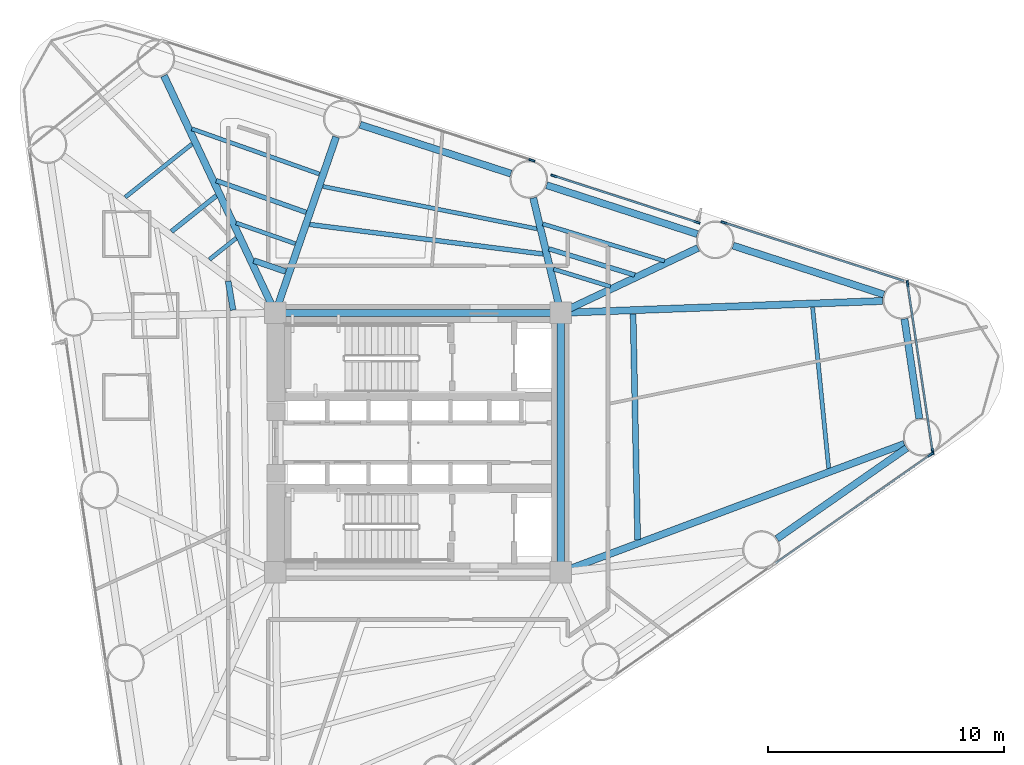
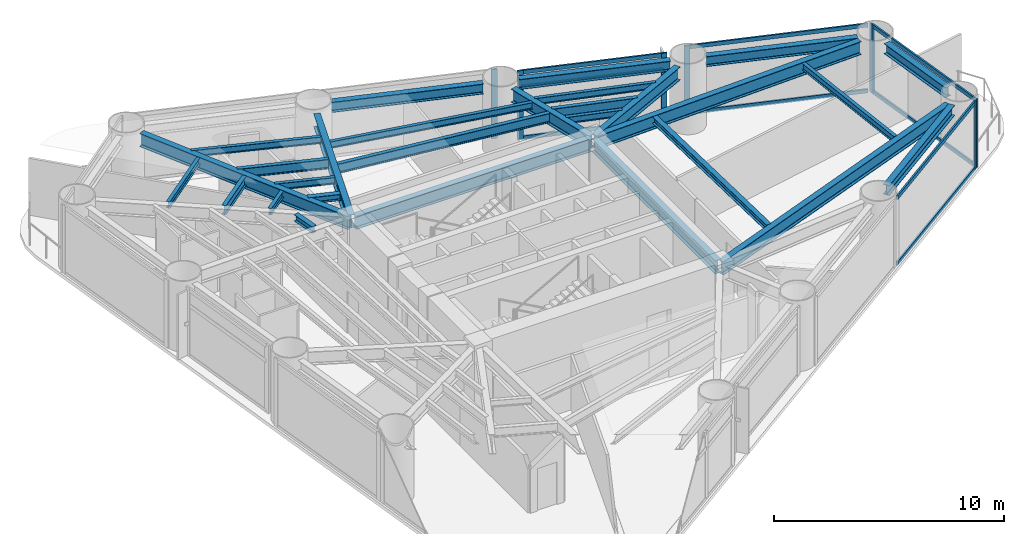
# One storey, part 3 of 11: 28 beams, 16 members, 5 elements without a shape of their own.
"""IFC4 building model written with IfcOpenShell, lengths in metres."""

from ifc_helpers import new_model, si_unit, direction, frame, origin, origin_2d, place, context, subcontext, project, spatial, rectangle, i_section, extrude, source, transform, mapped, material, layer, layer_set, material_profile, profile_set, type_object, element, aggregate, save


model = new_model("IFC4")

# Units and contexts
model_context = context("Model", 3, precision=1e-05, world=origin(), true_north=direction((0.0, 1.0)))
body_context = subcontext(model_context, "Body", "Model", "MODEL_VIEW")
ifc_project = project(units=[si_unit("LENGTHUNIT", "METRE"), si_unit("AREAUNIT", "SQUARE_METRE"), si_unit("VOLUMEUNIT", "CUBIC_METRE"), si_unit("PLANEANGLEUNIT", "RADIAN"), si_unit("MASSUNIT", "GRAM", prefix="KILO")], contexts=[model_context])

# Site, building, storey
site_placement = place(None, origin())
site = spatial("IfcSite", under=ifc_project, at=site_placement, CompositionType="ELEMENT")
building_placement = place(site_placement, origin())
building = spatial("IfcBuilding", under=site, at=building_placement, Name="Yunling Apex Tower", CompositionType="ELEMENT")
storey_placement = place(building_placement, frame((0.0, 0.0, 54.800048828125)))
storey = spatial("IfcBuildingStorey", under=building, at=storey_placement, Name="L14", CompositionType="ELEMENT", Elevation=54.800048828125)

# Beams
ifc_material_1 = material(Name="Steel Q355B", Category="steel")
ifc_material_profile_1 = material_profile(ifc_material_1, i_section(OverallWidth=0.300048828125, OverallDepth=0.699951171875, WebThickness=0.012939453125, FlangeThickness=0.02392578125, FilletRadius=0.02587890625, at=origin_2d()))
ifc_profile_set_1 = profile_set([ifc_material_profile_1], Name="Steel Q355B")
beam_type_1 = type_object("IfcBeamType", Name="BG-PRI-3", PredefinedType="USERDEFINED", material=ifc_profile_set_1)
shared_shape_1 = source(origin(), body_context, "Body", "SweptSolid", [
    extrude(i_section(OverallWidth=0.300048828125, OverallDepth=0.699951171875, WebThickness=0.012939453125, FlangeThickness=0.02392578125, FilletRadius=0.02587890625, at=origin_2d()), origin(), (0.0, 0.0, 1.0), 11.7998046875),
])
beam_1_placement = place(storey_placement, frame((5.89990234375, 5.5, 3.21484375), z_axis=(-1.0, 0.0, 0.0), x_axis=(0.0, -1.0, 0.0)))
element("IfcBeam", 1, at=beam_1_placement, inside=storey, type_object=beam_type_1, Name="L14 Core Ring Tie Beam 3", ObjectType="GIRDER", PredefinedType="USERDEFINED", context=body_context, shape_type="MappedRepresentation", body=[
    mapped(shared_shape_1, transform((0.0, 0.0, 0.0), scale=1.0)),
])
shared_shape_2 = source(origin(), body_context, "Body", "SweptSolid", [
    extrude(i_section(OverallWidth=0.300048828125, OverallDepth=0.699951171875, WebThickness=0.012939453125, FlangeThickness=0.02392578125, FilletRadius=0.02587890625, at=origin_2d()), origin(), (0.0, 0.0, 1.0), 10.7001953125),
])
beam_2_placement = place(storey_placement, frame((6.050048828125, -5.35009765625, 3.21484375), z_axis=(0.0, 1.0, 0.0), x_axis=(-1.0, 0.0, 0.0)))
element("IfcBeam", 2, at=beam_2_placement, inside=storey, type_object=beam_type_1, Name="L14 Core Ring Tie Beam 2", ObjectType="GIRDER", PredefinedType="USERDEFINED", context=body_context, shape_type="MappedRepresentation", body=[
    mapped(shared_shape_2, transform((0.0, 0.0, 0.0), scale=1.0)),
])
ifc_material_profile_2 = material_profile(ifc_material_1, i_section(OverallWidth=0.300048828125, OverallDepth=0.5400390625, WebThickness=0.011962890625, FlangeThickness=0.02001953125, FilletRadius=0.02392578125, at=origin_2d()))
ifc_profile_set_2 = profile_set([ifc_material_profile_2], Name="Steel Q355B")
beam_type_2 = type_object("IfcBeamType", Name="BP-SPN-1", PredefinedType="SPANDREL", material=ifc_profile_set_2)
shared_shape_3 = source(origin(), body_context, "Body", "SweptSolid", [
    extrude(i_section(OverallWidth=0.300048828125, OverallDepth=0.5400390625, WebThickness=0.011962890625, FlangeThickness=0.02001953125, FilletRadius=0.02392578125, at=origin_2d()), origin(), (0.0, 0.0, 1.0), 6.721435546875),
])
for number, where, z_axis, x_axis, name in (
    (3, (15.212158203125, -4.08056640625, 3.294921875), (0.81955772083, 0.572996633697, 0.0), (-0.572996633697, 0.81955772083, 0.0), "L14 Perimeter Spandrel Beam 4"),
    (4, (19.748291015625, 6.277099609375, 3.294921875), (-0.95126256707, 0.308382114415, 0.0), (-0.308382114415, -0.95126256707, 0.0), "L14 Perimeter Spandrel Beam 6"),
    (5, (3.939453125, 11.401611328125, 3.294921875), (-0.95126256707, 0.308382114415, 0.0), (-0.308382114415, -0.95126256707, 0.0), "L14 Perimeter Spandrel Beam 8"),
):
    element("IfcBeam", number, at=place(storey_placement, frame(where, z_axis=z_axis, x_axis=x_axis)), inside=storey, type_object=beam_type_2, Name=name, PredefinedType="SPANDREL", context=body_context, shape_type="MappedRepresentation", body=[
        mapped(shared_shape_3, transform((0.0, 0.0, 0.0), scale=1.0)),
    ])
shared_shape_4 = source(origin(), body_context, "Body", "SweptSolid", [
    extrude(i_section(OverallWidth=0.300048828125, OverallDepth=0.5400390625, WebThickness=0.011962890625, FlangeThickness=0.02001953125, FilletRadius=0.02392578125, at=origin_2d()), origin(), (0.0, 0.0, 1.0), 4.283203125),
])
beam_3_placement = place(storey_placement, frame((21.25390625, 1.010986328125, 3.294921875), z_axis=(-0.147802479388, 0.989016899293, 0.0), x_axis=(-0.989016899293, -0.147802479388, 0.0)))
element("IfcBeam", 6, at=beam_3_placement, inside=storey, type_object=beam_type_2, Name="L14 Perimeter Spandrel Beam 5", PredefinedType="SPANDREL", context=body_context, shape_type="MappedRepresentation", body=[
    mapped(shared_shape_4, transform((0.0, 0.0, 0.0), scale=1.0)),
])
shared_shape_5 = source(origin(), body_context, "Body", "SweptSolid", [
    extrude(i_section(OverallWidth=0.300048828125, OverallDepth=0.5400390625, WebThickness=0.011962890625, FlangeThickness=0.02001953125, FilletRadius=0.02392578125, at=origin_2d()), origin(), (0.0, 0.0, 1.0), 6.72119140625),
])
beam_4_placement = place(storey_placement, frame((11.84375, 8.83935546875, 3.294921875), z_axis=(-0.951259112593, 0.308392770197, 0.0), x_axis=(-0.308392770197, -0.951259112593, 0.0)))
element("IfcBeam", 7, at=beam_4_placement, inside=storey, type_object=beam_type_2, Name="L14 Perimeter Spandrel Beam 7", PredefinedType="SPANDREL", context=body_context, shape_type="MappedRepresentation", body=[
    mapped(shared_shape_5, transform((0.0, 0.0, 0.0), scale=1.0)),
])
shared_shape_6 = source(origin(), body_context, "Body", "SweptSolid", [
    extrude(i_section(OverallWidth=0.300048828125, OverallDepth=0.699951171875, WebThickness=0.012939453125, FlangeThickness=0.02392578125, FilletRadius=0.02587890625, at=origin_2d()), origin(), (0.0, 0.0, 1.0), 15.46826171875),
])
beam_5_placement = place(storey_placement, frame((20.614501953125, -0.05712890625, 3.21484375), z_axis=(-0.936727481876, -0.350059458804, 0.0), x_axis=(0.350059458804, -0.936727481876, 0.0)))
element("IfcBeam", 8, at=beam_5_placement, inside=storey, type_object=beam_type_1, Name="L14 Radial Primary Girder R05", ObjectType="GIRDER", PredefinedType="USERDEFINED", context=body_context, shape_type="MappedRepresentation", body=[
    mapped(shared_shape_6, transform((0.0, 0.0, 0.0), scale=1.0)),
])
shared_shape_7 = source(origin(), body_context, "Body", "SweptSolid", [
    extrude(i_section(OverallWidth=0.300048828125, OverallDepth=0.699951171875, WebThickness=0.012939453125, FlangeThickness=0.02392578125, FilletRadius=0.02587890625, at=origin_2d()), origin(), (0.0, 0.0, 1.0), 13.575439453125),
])
beam_6_placement = place(storey_placement, frame((19.696044921875, 6.002685546875, 3.21484375), z_axis=(-0.99932215556, -0.036813440575, 0.0), x_axis=(0.036813440575, -0.99932215556, 0.0)))
element("IfcBeam", 9, at=beam_6_placement, inside=storey, type_object=beam_type_1, Name="L14 Radial Primary Girder R06", ObjectType="GIRDER", PredefinedType="USERDEFINED", context=body_context, shape_type="MappedRepresentation", body=[
    mapped(shared_shape_7, transform((0.0, 0.0, 0.0), scale=1.0)),
])
shared_shape_8 = source(origin(), body_context, "Body", "SweptSolid", [
    extrude(i_section(OverallWidth=0.300048828125, OverallDepth=0.699951171875, WebThickness=0.012939453125, FlangeThickness=0.02392578125, FilletRadius=0.02587890625, at=origin_2d()), origin(), (0.0, 0.0, 1.0), 6.35546875),
])
beam_7_placement = place(storey_placement, frame((11.86865234375, 8.24951171875, 3.21484375), z_axis=(-0.90414025985, -0.427235755196, 0.0), x_axis=(0.427235755196, -0.90414025985, 0.0)))
element("IfcBeam", 10, at=beam_7_placement, inside=storey, type_object=beam_type_1, Name="L14 Radial Primary Girder R07", ObjectType="GIRDER", PredefinedType="USERDEFINED", context=body_context, shape_type="MappedRepresentation", body=[
    mapped(shared_shape_8, transform((0.0, 0.0, 0.0), scale=1.0)),
])
shared_shape_9 = source(origin(), body_context, "Body", "SweptSolid", [
    extrude(i_section(OverallWidth=0.300048828125, OverallDepth=0.699951171875, WebThickness=0.012939453125, FlangeThickness=0.02392578125, FilletRadius=0.02587890625, at=origin_2d()), origin(), (0.0, 0.0, 1.0), 4.928955078125),
])
beam_8_placement = place(storey_placement, frame((4.883056640625, 10.37109375, 3.21484375), z_axis=(0.233002001977, -0.972476255276, 0.0), x_axis=(0.972476255276, 0.233002001977, 0.0)))
element("IfcBeam", 11, at=beam_8_placement, inside=storey, type_object=beam_type_1, Name="L14 Radial Primary Girder R08", ObjectType="GIRDER", PredefinedType="USERDEFINED", context=body_context, shape_type="MappedRepresentation", body=[
    mapped(shared_shape_9, transform((0.0, 0.0, 0.0), scale=1.0)),
])
shared_shape_10 = source(origin(), body_context, "Body", "SweptSolid", [
    extrude(i_section(OverallWidth=0.300048828125, OverallDepth=0.699951171875, WebThickness=0.012939453125, FlangeThickness=0.02392578125, FilletRadius=0.02587890625, at=origin_2d()), origin(), (0.0, 0.0, 1.0), 7.807861328125),
])
beam_9_placement = place(storey_placement, frame((-3.473388671875, 12.955322265625, 3.21484375), z_axis=(-0.326658398033, -0.945142471268, 0.0), x_axis=(0.945142471268, -0.326658398033, 0.0)))
element("IfcBeam", 12, at=beam_9_placement, inside=storey, type_object=beam_type_1, Name="L14 Radial Primary Girder R09", ObjectType="GIRDER", PredefinedType="USERDEFINED", context=body_context, shape_type="MappedRepresentation", body=[
    mapped(shared_shape_10, transform((0.0, 0.0, 0.0), scale=1.0)),
])
shared_shape_11 = source(origin(), body_context, "Body", "SweptSolid", [
    extrude(i_section(OverallWidth=0.300048828125, OverallDepth=0.699951171875, WebThickness=0.012939453125, FlangeThickness=0.02392578125, FilletRadius=0.02587890625, at=origin_2d()), origin(), (0.0, 0.0, 1.0), 11.0234375),
])
beam_10_placement = place(storey_placement, frame((-10.7705078125, 15.550048828125, 3.21484375), z_axis=(0.425144169149, -0.905125646216, 0.0), x_axis=(0.905125646216, 0.425144169149, 0.0)))
element("IfcBeam", 13, at=beam_10_placement, inside=storey, type_object=beam_type_1, Name="L14 Radial Primary Girder R10", ObjectType="GIRDER", PredefinedType="USERDEFINED", context=body_context, shape_type="MappedRepresentation", body=[
    mapped(shared_shape_11, transform((0.0, 0.0, 0.0), scale=1.0)),
])
ifc_material_profile_3 = material_profile(ifc_material_1, i_section(OverallWidth=0.175048828125, OverallDepth=0.35009765625, WebThickness=0.007080078125, FlangeThickness=0.010986328125, FilletRadius=0.013916015625, at=origin_2d()))
ifc_profile_set_3 = profile_set([ifc_material_profile_3], Name="Steel Q355B")
beam_type_3 = type_object("IfcBeamType", Name="BJ-JST-1", PredefinedType="JOIST", material=ifc_profile_set_3)
shared_shape_12 = source(origin(), body_context, "Body", "SweptSolid", [
    extrude(i_section(OverallWidth=0.175048828125, OverallDepth=0.35009765625, WebThickness=0.007080078125, FlangeThickness=0.010986328125, FilletRadius=0.013916015625, at=origin_2d()), origin(), (0.0, 0.0, 1.0), 6.856689453125),
])
beam_11_placement = place(storey_placement, frame((17.410888671875, -1.089111328125, 3.389892578125), z_axis=(-0.099697612772, 0.995017781754, 0.0), x_axis=(-0.995017781754, -0.099697612772, 0.0)))
element("IfcBeam", 14, at=beam_11_placement, inside=storey, type_object=beam_type_3, Name="L14 Composite Floor Joist BJ1-5", PredefinedType="JOIST", context=body_context, shape_type="MappedRepresentation", body=[
    mapped(shared_shape_12, transform((0.0, 0.0, 0.0), scale=1.0)),
])
ifc_material_profile_4 = material_profile(ifc_material_1, i_section(OverallWidth=0.25, OverallDepth=0.340087890625, WebThickness=0.009033203125, FlangeThickness=0.013916015625, FilletRadius=0.01806640625, at=origin_2d()))
ifc_profile_set_4 = profile_set([ifc_material_profile_4], Name="Steel Q355B")
beam_type_4 = type_object("IfcBeamType", Name="BJ-JST-2", PredefinedType="JOIST", material=ifc_profile_set_4)
shared_shape_13 = source(origin(), body_context, "Body", "SweptSolid", [
    extrude(i_section(OverallWidth=0.25, OverallDepth=0.340087890625, WebThickness=0.009033203125, FlangeThickness=0.013916015625, FilletRadius=0.01806640625, at=origin_2d()), origin(), (0.0, 0.0, 1.0), 9.57568359375),
])
beam_12_placement = place(storey_placement, frame((9.309326171875, -4.120849609375, 3.39501953125), z_axis=(-0.020014350968, 0.999799692816, 0.0), x_axis=(-0.999799692816, -0.020014350968, 0.0)))
element("IfcBeam", 15, at=beam_12_placement, inside=storey, type_object=beam_type_4, Name="L14 Composite Floor Joist BJ2-5", PredefinedType="JOIST", context=body_context, shape_type="MappedRepresentation", body=[
    mapped(shared_shape_13, transform((0.0, 0.0, 0.0), scale=1.0)),
])
ifc_material_profile_5 = material_profile(ifc_material_1, i_section(OverallWidth=0.199951171875, OverallDepth=0.5, WebThickness=0.010009765625, FlangeThickness=0.01611328125, FilletRadius=0.02001953125, at=origin_2d()))
ifc_profile_set_5 = profile_set([ifc_material_profile_5], Name="Steel Q355B")
beam_type_5 = type_object("IfcBeamType", Name="BS-SEC-2", PredefinedType="BEAM", material=ifc_profile_set_5)
shared_shape_14 = source(origin(), body_context, "Body", "SweptSolid", [
    extrude(i_section(OverallWidth=0.199951171875, OverallDepth=0.5, WebThickness=0.010009765625, FlangeThickness=0.01611328125, FilletRadius=0.02001953125, at=origin_2d()), origin(), (0.0, 0.0, 1.0), 3.812255859375),
])
beam_13_placement = place(storey_placement, frame((9.187255859375, 7.1015625, 3.31494140625), z_axis=(-0.956390339833, 0.292091625819, 0.0), x_axis=(-0.292091625819, -0.956390339833, 0.0)))
element("IfcBeam", 16, at=beam_13_placement, inside=storey, type_object=beam_type_5, Name="L14 Composite Floor Beam BS-7", PredefinedType="BEAM", context=body_context, shape_type="MappedRepresentation", body=[
    mapped(shared_shape_14, transform((0.0, 0.0, 0.0), scale=1.0)),
])
shared_shape_15 = source(origin(), body_context, "Body", "SweptSolid", [
    extrude(i_section(OverallWidth=0.175048828125, OverallDepth=0.35009765625, WebThickness=0.007080078125, FlangeThickness=0.010986328125, FilletRadius=0.013916015625, at=origin_2d()), origin(), (0.0, 0.0, 1.0), 5.396484375),
])
beam_14_placement = place(storey_placement, frame((10.451416015625, 7.698486328125, 3.389892578125), z_axis=(-0.95665799, 0.291213822077, 0.0), x_axis=(-0.291213822077, -0.95665799, 0.0)))
element("IfcBeam", 17, at=beam_14_placement, inside=storey, type_object=beam_type_3, Name="L14 Composite Floor Joist BJ1-7", PredefinedType="JOIST", context=body_context, shape_type="MappedRepresentation", body=[
    mapped(shared_shape_15, transform((0.0, 0.0, 0.0), scale=1.0)),
])
shared_shape_16 = source(origin(), body_context, "Body", "SweptSolid", [
    extrude(i_section(OverallWidth=0.175048828125, OverallDepth=0.35009765625, WebThickness=0.007080078125, FlangeThickness=0.010986328125, FilletRadius=0.013916015625, at=origin_2d()), origin(), (0.0, 0.0, 1.0), 2.516357421875),
])
beam_15_placement = place(storey_placement, frame((8.153076171875, 6.613037109375, 3.389892578125), z_axis=(-0.955871264671, 0.293785849515, 0.0), x_axis=(-0.293785849515, -0.955871264671, 0.0)))
element("IfcBeam", 18, at=beam_15_placement, inside=storey, type_object=beam_type_3, Name="L14 Composite Floor Joist BJ3-7", PredefinedType="JOIST", context=body_context, shape_type="MappedRepresentation", body=[
    mapped(shared_shape_16, transform((0.0, 0.0, 0.0), scale=1.0)),
])
shared_shape_17 = source(origin(), body_context, "Body", "SweptSolid", [
    extrude(i_section(OverallWidth=0.199951171875, OverallDepth=0.5, WebThickness=0.010009765625, FlangeThickness=0.01611328125, FilletRadius=0.02001953125, at=origin_2d()), origin(), (0.0, 0.0, 1.0), 9.967529296875),
])
beam_16_placement = place(storey_placement, frame((5.298583984375, 7.994384765625, 3.31494140625), z_axis=(-0.992092895005, 0.125505727681, 0.0), x_axis=(-0.125505727681, -0.992092895005, 0.0)))
element("IfcBeam", 19, at=beam_16_placement, inside=storey, type_object=beam_type_5, Name="L14 Composite Floor Beam BS-8", PredefinedType="BEAM", context=body_context, shape_type="MappedRepresentation", body=[
    mapped(shared_shape_17, transform((0.0, 0.0, 0.0), scale=1.0)),
])
shared_shape_18 = source(origin(), body_context, "Body", "SweptSolid", [
    extrude(i_section(OverallWidth=0.175048828125, OverallDepth=0.35009765625, WebThickness=0.007080078125, FlangeThickness=0.010986328125, FilletRadius=0.013916015625, at=origin_2d()), origin(), (0.0, 0.0, 1.0), 9.254638671875),
])
beam_17_placement = place(storey_placement, frame((5.047607421875, 9.06005859375, 3.389892578125), z_axis=(-0.98094926536, 0.194264095472, 0.0), x_axis=(-0.194264095472, -0.98094926536, 0.0)))
element("IfcBeam", 20, at=beam_17_placement, inside=storey, type_object=beam_type_3, Name="L14 Composite Floor Joist BJ1-8", PredefinedType="JOIST", context=body_context, shape_type="MappedRepresentation", body=[
    mapped(shared_shape_18, transform((0.0, 0.0, 0.0), scale=1.0)),
])
shared_shape_19 = source(origin(), body_context, "Body", "SweptSolid", [
    extrude(i_section(OverallWidth=0.199951171875, OverallDepth=0.5, WebThickness=0.010009765625, FlangeThickness=0.01611328125, FilletRadius=0.02001953125, at=origin_2d()), origin(), (0.0, 0.0, 1.0), 4.04150390625),
])
beam_18_placement = place(storey_placement, frame((-4.74658203125, 9.761474609375, 3.31494140625), z_axis=(-0.942979180686, 0.332851715924, 0.0), x_axis=(-0.332851715924, -0.942979180686, 0.0)))
element("IfcBeam", 21, at=beam_18_placement, inside=storey, type_object=beam_type_5, Name="L14 Composite Floor Beam BS-9", PredefinedType="BEAM", context=body_context, shape_type="MappedRepresentation", body=[
    mapped(shared_shape_19, transform((0.0, 0.0, 0.0), scale=1.0)),
])
shared_shape_20 = source(origin(), body_context, "Body", "SweptSolid", [
    extrude(i_section(OverallWidth=0.175048828125, OverallDepth=0.35009765625, WebThickness=0.007080078125, FlangeThickness=0.010986328125, FilletRadius=0.013916015625, at=origin_2d()), origin(), (0.0, 0.0, 1.0), 5.733154296875),
])
beam_19_placement = place(storey_placement, frame((-4.185302734375, 11.38525390625, 3.389892578125), z_axis=(-0.942485311423, 0.334247569553, 0.0), x_axis=(-0.334247569553, -0.942485311423, 0.0)))
element("IfcBeam", 22, at=beam_19_placement, inside=storey, type_object=beam_type_3, Name="L14 Composite Floor Joist BJ1-9", PredefinedType="JOIST", context=body_context, shape_type="MappedRepresentation", body=[
    mapped(shared_shape_20, transform((0.0, 0.0, 0.0), scale=1.0)),
])
shared_shape_21 = source(origin(), body_context, "Body", "SweptSolid", [
    extrude(i_section(OverallWidth=0.175048828125, OverallDepth=0.35009765625, WebThickness=0.007080078125, FlangeThickness=0.010986328125, FilletRadius=0.013916015625, at=origin_2d()), origin(), (0.0, 0.0, 1.0), 2.657470703125),
])
beam_20_placement = place(storey_placement, frame((-5.205810546875, 8.432861328125, 3.389892578125), z_axis=(-0.943816811427, 0.330469100623, 0.0), x_axis=(-0.330469100623, -0.943816811427, 0.0)))
element("IfcBeam", 23, at=beam_20_placement, inside=storey, type_object=beam_type_3, Name="L14 Composite Floor Joist BJ3-9", PredefinedType="JOIST", context=body_context, shape_type="MappedRepresentation", body=[
    mapped(shared_shape_21, transform((0.0, 0.0, 0.0), scale=1.0)),
])
shared_shape_22 = source(origin(), body_context, "Body", "SweptSolid", [
    extrude(i_section(OverallWidth=0.25, OverallDepth=0.340087890625, WebThickness=0.009033203125, FlangeThickness=0.013916015625, FilletRadius=0.01806640625, at=origin_2d()), origin(), (0.0, 0.0, 1.0), 1.42724609375),
])
beam_21_placement = place(storey_placement, frame((-5.614013671875, 7.251220703125, 3.39501953125), z_axis=(-0.94564715029, 0.325194506639, 0.0), x_axis=(-0.325194506639, -0.94564715029, 0.0)))
element("IfcBeam", 24, at=beam_21_placement, inside=storey, type_object=beam_type_4, Name="L14 Composite Floor Joist BJ2-9", PredefinedType="JOIST", context=body_context, shape_type="MappedRepresentation", body=[
    mapped(shared_shape_22, transform((0.0, 0.0, 0.0), scale=1.0)),
])
shared_shape_23 = source(origin(), body_context, "Body", "SweptSolid", [
    extrude(i_section(OverallWidth=0.199951171875, OverallDepth=0.5, WebThickness=0.010009765625, FlangeThickness=0.01611328125, FilletRadius=0.02001953125, at=origin_2d()), origin(), (0.0, 0.0, 1.0), 2.4287109375),
])
beam_22_placement = place(storey_placement, frame((-8.552490234375, 10.46142578125, 3.31494140625), z_axis=(-0.782093234133, -0.62316143424, 0.0), x_axis=(0.62316143424, -0.782093234133, 0.0)))
element("IfcBeam", 25, at=beam_22_placement, inside=storey, type_object=beam_type_5, Name="L14 Composite Floor Beam BS-10", PredefinedType="BEAM", context=body_context, shape_type="MappedRepresentation", body=[
    mapped(shared_shape_23, transform((0.0, 0.0, 0.0), scale=1.0)),
])
shared_shape_24 = source(origin(), body_context, "Body", "SweptSolid", [
    extrude(i_section(OverallWidth=0.175048828125, OverallDepth=0.35009765625, WebThickness=0.007080078125, FlangeThickness=0.010986328125, FilletRadius=0.013916015625, at=origin_2d()), origin(), (0.0, 0.0, 1.0), 3.62060546875),
])
beam_23_placement = place(storey_placement, frame((-9.58349609375, 12.656494140625, 3.389892578125), z_axis=(-0.782123735438, -0.623123151925, 0.0), x_axis=(0.623123151925, -0.782123735438, 0.0)))
element("IfcBeam", 26, at=beam_23_placement, inside=storey, type_object=beam_type_3, Name="L14 Composite Floor Joist BJ1-10", PredefinedType="JOIST", context=body_context, shape_type="MappedRepresentation", body=[
    mapped(shared_shape_24, transform((0.0, 0.0, 0.0), scale=1.0)),
])
shared_shape_25 = source(origin(), body_context, "Body", "SweptSolid", [
    extrude(i_section(OverallWidth=0.175048828125, OverallDepth=0.35009765625, WebThickness=0.007080078125, FlangeThickness=0.010986328125, FilletRadius=0.013916015625, at=origin_2d()), origin(), (0.0, 0.0, 1.0), 1.453369140625),
])
beam_24_placement = place(storey_placement, frame((-7.708740234375, 8.66552734375, 3.389892578125), z_axis=(-0.78201477261, -0.62325989396, 0.0), x_axis=(0.62325989396, -0.78201477261, 0.0)))
element("IfcBeam", 27, at=beam_24_placement, inside=storey, type_object=beam_type_3, Name="L14 Composite Floor Joist BJ3-10", PredefinedType="JOIST", context=body_context, shape_type="MappedRepresentation", body=[
    mapped(shared_shape_25, transform((0.0, 0.0, 0.0), scale=1.0)),
])
shared_shape_26 = source(origin(), body_context, "Body", "SweptSolid", [
    extrude(i_section(OverallWidth=0.25, OverallDepth=0.340087890625, WebThickness=0.009033203125, FlangeThickness=0.013916015625, FilletRadius=0.01806640625, at=origin_2d()), origin(), (0.0, 0.0, 1.0), 1.242431640625),
])
beam_25_placement = place(storey_placement, frame((-8.05078125, 6.84228515625, 3.39501953125), z_axis=(0.168412893697, -0.985716540004, 0.0), x_axis=(0.985716540004, 0.168412893697, 0.0)))
element("IfcBeam", 28, at=beam_25_placement, inside=storey, type_object=beam_type_4, Name="L14 Composite Floor Joist BJ2-11", PredefinedType="JOIST", context=body_context, shape_type="MappedRepresentation", body=[
    mapped(shared_shape_26, transform((0.0, 0.0, 0.0), scale=1.0)),
])

# Curtain wall, member
ifc_material_2 = material(Name="Bronze anodised aluminium", Category="aluminium")
ifc_layer = layer(ifc_material_2, 0.260009765625)
ifc_layer_set = layer_set([ifc_layer], Name="Bronze anodised aluminium")
curtain_wall_type = type_object("IfcCurtainWallType", Name="CW-SYS-2", PredefinedType="NOTDEFINED", material=ifc_layer_set)
curtain_wall_1_placement = place(storey_placement, origin())
curtain_wall_1 = element("IfcCurtainWall", 29, at=curtain_wall_1_placement, inside=storey, type_object=curtain_wall_type, Name="CW-L14-F1-B4", PredefinedType="NOTDEFINED")
ifc_material_profile_6 = material_profile(ifc_material_2, rectangle(XDim=0.0849609375, YDim=0.260009765625, at=origin_2d()))
ifc_profile_set_6 = profile_set([ifc_material_profile_6], Name="Bronze anodised aluminium")
member_type_1 = type_object("IfcMemberType", Name="CW-MUL-2", PredefinedType="MULLION", material=ifc_profile_set_6)
shared_shape_27 = source(origin(), body_context, "Body", "SweptSolid", [
    extrude(rectangle(XDim=0.0849609375, YDim=0.260009765625, at=origin_2d()), origin(), (0.0, 0.0, 1.0), 3.6650390625),
])
member_1_placement = place(storey_placement, frame((21.735107421875, -0.50830078125, -0.050048828125), z_axis=(0.0, 0.0, 1.0), x_axis=(-0.573004358875, 0.819552319691, 0.0)))
member_1 = element("IfcMember", 30, at=member_1_placement, type_object=member_type_1, Name="CW-SYS-2 mullion 2", PredefinedType="MULLION", context=body_context, shape_type="MappedRepresentation", body=[
    mapped(shared_shape_27, transform((0.0, 0.0, 0.0), scale=1.0)),
])

# Curtain wall, members
curtain_wall_2_placement = place(storey_placement, origin())
curtain_wall_2 = element("IfcCurtainWall", 31, at=curtain_wall_2_placement, inside=storey, type_object=curtain_wall_type, Name="CW-L14-CRN1", PredefinedType="NOTDEFINED")
member_2_placement = place(storey_placement, frame((21.817626953125, -0.379638671875, -0.050048828125), z_axis=(0.0, 0.0, 1.0), x_axis=(-0.989017551472, -0.147798115278, 0.0)))
member_2 = element("IfcMember", 32, at=member_2_placement, type_object=member_type_1, Name="CW-SYS-2 mullion 1", PredefinedType="MULLION", context=body_context, shape_type="MappedRepresentation", body=[
    mapped(shared_shape_27, transform((0.0, 0.0, 0.0), scale=1.0)),
])
member_3_placement = place(storey_placement, frame((20.75341796875, 6.741943359375, -0.050048828125), z_axis=(0.0, 0.0, 1.0), x_axis=(-0.989017551472, -0.147798115278, 0.0)))
member_3 = element("IfcMember", 33, at=member_3_placement, type_object=member_type_1, Name="CW-SYS-2 mullion 2", PredefinedType="MULLION", context=body_context, shape_type="MappedRepresentation", body=[
    mapped(shared_shape_27, transform((0.0, 0.0, 0.0), scale=1.0)),
])

# Curtain wall, member
curtain_wall_3_placement = place(storey_placement, origin())
curtain_wall_3 = element("IfcCurtainWall", 34, at=curtain_wall_3_placement, inside=storey, type_object=curtain_wall_type, Name="CW-L14-F2-B1", PredefinedType="NOTDEFINED")
member_4_placement = place(storey_placement, frame((12.96533203125, 9.327392578125, -0.050048828125), z_axis=(0.0, 0.0, 1.0), x_axis=(-0.30835735341, -0.951270593784, 0.0)))
member_4 = element("IfcMember", 35, at=member_4_placement, type_object=member_type_1, Name="CW-SYS-2 mullion 2", PredefinedType="MULLION", context=body_context, shape_type="MappedRepresentation", body=[
    mapped(shared_shape_27, transform((0.0, 0.0, 0.0), scale=1.0)),
])

# Curtain wall, members
curtain_wall_4_placement = place(storey_placement, origin())
curtain_wall_4 = element("IfcCurtainWall", 36, at=curtain_wall_4_placement, inside=storey, type_object=curtain_wall_type, Name="CW-L14-F2-B2", PredefinedType="NOTDEFINED")
member_5_placement = place(storey_placement, frame((11.828369140625, 9.338623046875, -0.050048828125), z_axis=(0.0, 0.0, 1.0), x_axis=(-0.308351975608, -0.951272336999, 0.0)))
member_5 = element("IfcMember", 37, at=member_5_placement, type_object=member_type_1, Name="CW-SYS-2 mullion 1", PredefinedType="MULLION", context=body_context, shape_type="MappedRepresentation", body=[
    mapped(shared_shape_27, transform((0.0, 0.0, 0.0), scale=1.0)),
])
member_6_placement = place(storey_placement, frame((5.75537109375, 11.30712890625, -0.050048828125), z_axis=(0.0, 0.0, 1.0), x_axis=(-0.308351975608, -0.951272336999, 0.0)))
member_6 = element("IfcMember", 38, at=member_6_placement, type_object=member_type_1, Name="CW-SYS-2 mullion 2", PredefinedType="MULLION", context=body_context, shape_type="MappedRepresentation", body=[
    mapped(shared_shape_27, transform((0.0, 0.0, 0.0), scale=1.0)),
])

# Curtain wall, member
curtain_wall_5_placement = place(storey_placement, origin())
curtain_wall_5 = element("IfcCurtainWall", 39, at=curtain_wall_5_placement, inside=storey, type_object=curtain_wall_type, Name="CW-L14-F2-B3", PredefinedType="NOTDEFINED")
member_7_placement = place(storey_placement, frame((4.827880859375, 11.965087890625, -0.050048828125), z_axis=(0.0, 0.0, 1.0), x_axis=(-0.308368457544, -0.951266994272, 0.0)))
member_7 = element("IfcMember", 40, at=member_7_placement, type_object=member_type_1, Name="CW-SYS-2 mullion 1", PredefinedType="MULLION", context=body_context, shape_type="MappedRepresentation", body=[
    mapped(shared_shape_27, transform((0.0, 0.0, 0.0), scale=1.0)),
])
aggregate(curtain_wall_5, [member_7])

# Member
ifc_material_profile_7 = material_profile(ifc_material_2, rectangle(XDim=0.0849609375, YDim=0.199951171875, at=origin_2d()))
ifc_profile_set_7 = profile_set([ifc_material_profile_7], Name="Bronze anodised aluminium")
member_type_2 = type_object("IfcMemberType", Name="CW-TRN-2", PredefinedType="USERDEFINED", material=ifc_profile_set_7)
shared_shape_28 = source(origin(), body_context, "Body", "SweptSolid", [
    extrude(rectangle(XDim=0.0849609375, YDim=0.199951171875, at=origin_2d()), origin(), (0.0, 0.0, 1.0), 6.3076171875),
])
member_8_placement = place(storey_placement, frame((11.7919921875, 9.350341796875, 0.04248046875), z_axis=(-0.951267321757, 0.308367447306, 0.0), x_axis=(-0.308367447306, -0.951267321757, 0.0)))
member_8 = element("IfcMember", 41, at=member_8_placement, type_object=member_type_2, Name="CW-SYS-2 transom 1.1", ObjectType="TRANSOM", PredefinedType="USERDEFINED", context=body_context, shape_type="MappedRepresentation", body=[
    mapped(shared_shape_28, transform((0.0, 0.0, 0.0), scale=1.0)),
])

member_9_placement = place(storey_placement, frame((11.7919921875, 9.350341796875, 2.71484375), z_axis=(-0.951267321757, 0.308367447306, 0.0), x_axis=(-0.308367447306, -0.951267321757, 0.0)))
member_9 = element("IfcMember", 42, at=member_9_placement, type_object=member_type_2, Name="CW-SYS-2 transom 1.2", ObjectType="TRANSOM", PredefinedType="USERDEFINED", context=body_context, shape_type="MappedRepresentation", body=[
    mapped(shared_shape_28, transform((0.0, 0.0, 0.0), scale=1.0)),
])

member_10_placement = place(storey_placement, frame((11.7919921875, 9.350341796875, 3.5224609375), z_axis=(-0.951267321757, 0.308367447306, 0.0), x_axis=(-0.308367447306, -0.951267321757, 0.0)))
member_10 = element("IfcMember", 43, at=member_10_placement, type_object=member_type_2, Name="CW-SYS-2 transom 1.3", ObjectType="TRANSOM", PredefinedType="USERDEFINED", context=body_context, shape_type="MappedRepresentation", body=[
    mapped(shared_shape_28, transform((0.0, 0.0, 0.0), scale=1.0)),
])

aggregate(curtain_wall_4, [member_5, member_6, member_8, member_9, member_10])

shared_shape_29 = source(origin(), body_context, "Body", "SweptSolid", [
    extrude(rectangle(XDim=0.0849609375, YDim=0.199951171875, at=origin_2d()), origin(), (0.0, 0.0, 1.0), 7.98779296875),
])
member_11_placement = place(storey_placement, frame((15.1572265625, -5.107177734375, 0.04248046875), z_axis=(0.819559176955, 0.572994550995, 0.0), x_axis=(-0.572994550995, 0.819559176955, 0.0)))
member_11 = element("IfcMember", 44, at=member_11_placement, type_object=member_type_2, Name="CW-SYS-2 transom 1.1", ObjectType="TRANSOM", PredefinedType="USERDEFINED", context=body_context, shape_type="MappedRepresentation", body=[
    mapped(shared_shape_29, transform((0.0, 0.0, 0.0), scale=1.0)),
])

member_12_placement = place(storey_placement, frame((15.1572265625, -5.107177734375, 3.5224609375), z_axis=(0.819559176955, 0.572994550995, 0.0), x_axis=(-0.572994550995, 0.819559176955, 0.0)))
member_12 = element("IfcMember", 45, at=member_12_placement, type_object=member_type_2, Name="CW-SYS-2 transom 1.2", ObjectType="TRANSOM", PredefinedType="USERDEFINED", context=body_context, shape_type="MappedRepresentation", body=[
    mapped(shared_shape_29, transform((0.0, 0.0, 0.0), scale=1.0)),
])

aggregate(curtain_wall_1, [member_1, member_11, member_12])

member_13_placement = place(storey_placement, frame((20.600341796875, 6.8525390625, 0.04248046875), z_axis=(-0.951270077756, 0.308358945331, 0.0), x_axis=(-0.308358945331, -0.951270077756, 0.0)))
member_13 = element("IfcMember", 46, at=member_13_placement, type_object=member_type_2, Name="CW-SYS-2 transom 1.1", ObjectType="TRANSOM", PredefinedType="USERDEFINED", context=body_context, shape_type="MappedRepresentation", body=[
    mapped(shared_shape_29, transform((0.0, 0.0, 0.0), scale=1.0)),
])

member_14_placement = place(storey_placement, frame((20.600341796875, 6.8525390625, 3.5224609375), z_axis=(-0.951270077756, 0.308358945331, 0.0), x_axis=(-0.308358945331, -0.951270077756, 0.0)))
member_14 = element("IfcMember", 47, at=member_14_placement, type_object=member_type_2, Name="CW-SYS-2 transom 1.2", ObjectType="TRANSOM", PredefinedType="USERDEFINED", context=body_context, shape_type="MappedRepresentation", body=[
    mapped(shared_shape_29, transform((0.0, 0.0, 0.0), scale=1.0)),
])

aggregate(curtain_wall_3, [member_4, member_13, member_14])

shared_shape_30 = source(origin(), body_context, "Body", "SweptSolid", [
    extrude(rectangle(XDim=0.0849609375, YDim=0.199951171875, at=origin_2d()), origin(), (0.0, 0.0, 1.0), 7.1240234375),
])
member_15_placement = place(storey_placement, frame((21.81201171875, -0.341796875, 0.04248046875), z_axis=(-0.147804185278, 0.989016644357, 0.0), x_axis=(-0.989016644357, -0.147804185278, 0.0)))
member_15 = element("IfcMember", 48, at=member_15_placement, type_object=member_type_2, Name="CW-SYS-2 transom 1.1", ObjectType="TRANSOM", PredefinedType="USERDEFINED", context=body_context, shape_type="MappedRepresentation", body=[
    mapped(shared_shape_30, transform((0.0, 0.0, 0.0), scale=1.0)),
])

member_16_placement = place(storey_placement, frame((21.81201171875, -0.341796875, 3.5224609375), z_axis=(-0.147804185278, 0.989016644357, 0.0), x_axis=(-0.989016644357, -0.147804185278, 0.0)))
member_16 = element("IfcMember", 49, at=member_16_placement, type_object=member_type_2, Name="CW-SYS-2 transom 1.2", ObjectType="TRANSOM", PredefinedType="USERDEFINED", context=body_context, shape_type="MappedRepresentation", body=[
    mapped(shared_shape_30, transform((0.0, 0.0, 0.0), scale=1.0)),
])

aggregate(curtain_wall_2, [member_2, member_3, member_15, member_16])

save(model, "model.ifc")
